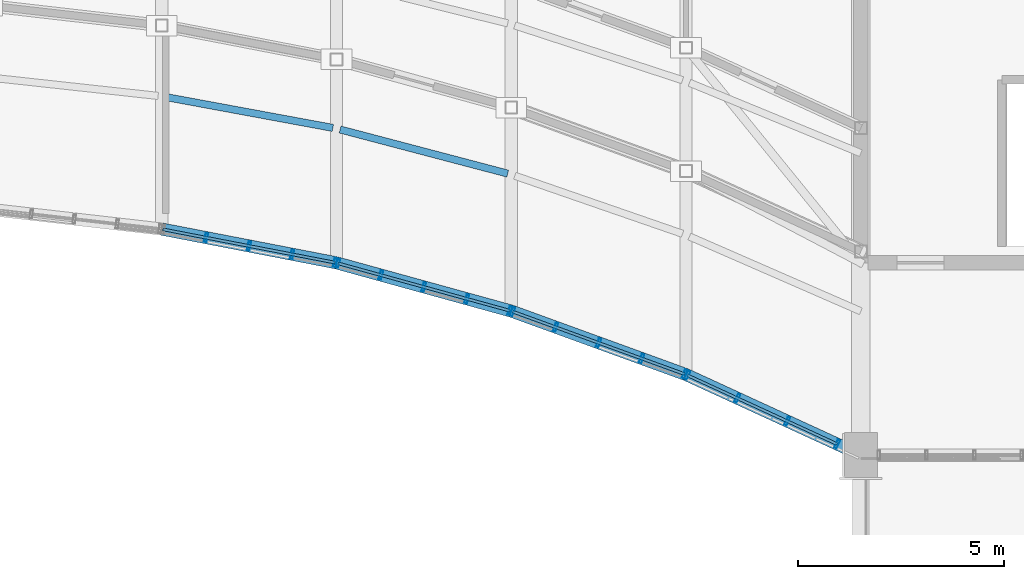
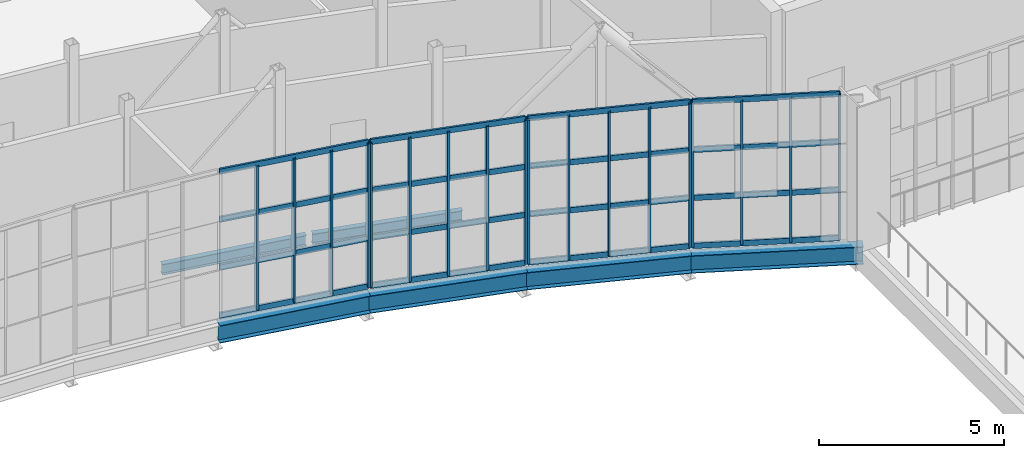
# One storey, part 39 of 86: 34 members, 6 beams, 4 elements without a shape of their own.
"""IFC4 building model written with IfcOpenShell, lengths in metres."""

from ifc_helpers import new_model, si_unit, direction, frame, origin, origin_2d, place, context, subcontext, project, spatial, hollow_rectangle, i_section, extrude, material, material_profile, profile_set, type_object, element, aggregate, save


model = new_model("IFC4")

# Units and contexts
model_context = context("Model", 3, precision=1e-05, world=origin(), true_north=direction((0.0, 1.0)))
body_context = subcontext(model_context, "Body", "Model", "MODEL_VIEW")
ifc_project = project(units=[si_unit("LENGTHUNIT", "METRE"), si_unit("AREAUNIT", "SQUARE_METRE"), si_unit("VOLUMEUNIT", "CUBIC_METRE"), si_unit("PLANEANGLEUNIT", "RADIAN"), si_unit("MASSUNIT", "GRAM", prefix="KILO")], contexts=[model_context])

# Site, building, storey
site_placement = place(None, origin())
site = spatial("IfcSite", under=ifc_project, at=site_placement, CompositionType="ELEMENT")
building_placement = place(site_placement, origin())
building = spatial("IfcBuilding", under=site, at=building_placement, Name="Solvikara Media Centre", CompositionType="ELEMENT")
storey_placement = place(building_placement, frame((0.0, 0.0, 15.0)))
storey = spatial("IfcBuildingStorey", under=building, at=storey_placement, Name="L03", CompositionType="ELEMENT", Elevation=15.0)

# Beams
ifc_material_1 = material(Name="Steel S355JR", Category="steel")
ifc_material_profile_1 = material_profile(ifc_material_1, i_section(OverallWidth=0.175048828125, OverallDepth=0.35009765625, WebThickness=0.007080078125, FlangeThickness=0.010986328125, at=origin_2d()), Name="WF 350x175x7x11")
ifc_profile_set_1 = profile_set([ifc_material_profile_1], Name="Steel S355JR")
beam_type_1 = type_object("IfcBeamType", Name="BM-22", PredefinedType="JOIST", material=ifc_profile_set_1)
beam_1_placement = place(storey_placement, frame((110.589111328125, 28.031005859375, -0.39697265625), z_axis=(0.983371814175, -0.181603620797, 0.0), x_axis=(0.181603620797, 0.983371814175, 0.0)))
element("IfcBeam", 1, at=beam_1_placement, inside=storey, type_object=beam_type_1, Name="BJ-L03-08-20", PredefinedType="JOIST", context=body_context, shape_type="SweptSolid", body=[
    extrude(i_section(OverallWidth=0.175048828125, OverallDepth=0.35009765625, WebThickness=0.007080078125, FlangeThickness=0.010986328125, at=origin_2d()), origin(), (0.0, 0.0, 1.0), 4.140625),
])
beam_2_placement = place(storey_placement, frame((114.8369140625, 27.239990234375, -0.39697265625), z_axis=(0.967112792727, -0.254347884096, 0.0), x_axis=(0.254347884096, 0.967112792727, 0.0)))
element("IfcBeam", 2, at=beam_2_placement, inside=storey, type_object=beam_type_1, Name="BJ-L03-09-20", PredefinedType="JOIST", context=body_context, shape_type="SweptSolid", body=[
    extrude(i_section(OverallWidth=0.175048828125, OverallDepth=0.35009765625, WebThickness=0.007080078125, FlangeThickness=0.010986328125, at=origin_2d()), origin(), (0.0, 0.0, 1.0), 4.21484375),
])
ifc_material_profile_2 = material_profile(ifc_material_1, i_section(OverallWidth=0.300048828125, OverallDepth=0.58203125, WebThickness=0.011962890625, FlangeThickness=0.01708984375, at=origin_2d()), Name="WF 582x300x12x17")
ifc_profile_set_2 = profile_set([ifc_material_profile_2], Name="Steel S355JR")
beam_type_2 = type_object("IfcBeamType", Name="BM-31", PredefinedType="SPANDREL", material=ifc_profile_set_2)
beam_3_placement = place(storey_placement, frame((110.5, 24.818115234375, -0.512939453125), z_axis=(0.981803941213, -0.189897396029, 0.0), x_axis=(0.189897396029, 0.981803941213, 0.0)))
element("IfcBeam", 3, at=beam_3_placement, inside=storey, type_object=beam_type_2, Name="B-L03-SARC-08", PredefinedType="SPANDREL", context=body_context, shape_type="SweptSolid", body=[
    extrude(i_section(OverallWidth=0.300048828125, OverallDepth=0.58203125, WebThickness=0.011962890625, FlangeThickness=0.01708984375, at=origin_2d()), origin(), (0.0, 0.0, 1.0), 4.328857421875),
])
beam_4_placement = place(storey_placement, frame((114.75, 23.99609375, -0.512939453125), z_axis=(0.964009749544, -0.265866889221, 0.0), x_axis=(0.265866889221, 0.964009749544, 0.0)))
element("IfcBeam", 4, at=beam_4_placement, inside=storey, type_object=beam_type_2, Name="B-L03-SARC-09", PredefinedType="SPANDREL", context=body_context, shape_type="SweptSolid", body=[
    extrude(i_section(OverallWidth=0.300048828125, OverallDepth=0.58203125, WebThickness=0.011962890625, FlangeThickness=0.01708984375, at=origin_2d()), origin(), (0.0, 0.0, 1.0), 4.40869140625),
])
beam_5_placement = place(storey_placement, frame((119.0, 22.823974609375, -0.512939453125), z_axis=(0.939831249065, -0.341639024821, 0.0), x_axis=(0.341639024821, 0.939831249065, 0.0)))
element("IfcBeam", 5, at=beam_5_placement, inside=storey, type_object=beam_type_2, Name="B-L03-SARC-10", PredefinedType="SPANDREL", context=body_context, shape_type="SweptSolid", body=[
    extrude(i_section(OverallWidth=0.300048828125, OverallDepth=0.58203125, WebThickness=0.011962890625, FlangeThickness=0.01708984375, at=origin_2d()), origin(), (0.0, 0.0, 1.0), 4.52197265625),
])
beam_6_placement = place(storey_placement, frame((123.25, 21.279052734375, -0.512939453125), z_axis=(0.908484112169, -0.417919391673, 0.0), x_axis=(0.417919391673, 0.908484112169, 0.0)))
element("IfcBeam", 6, at=beam_6_placement, inside=storey, type_object=beam_type_2, Name="B-L03-SARC-11", PredefinedType="SPANDREL", context=body_context, shape_type="SweptSolid", body=[
    extrude(i_section(OverallWidth=0.300048828125, OverallDepth=0.58203125, WebThickness=0.011962890625, FlangeThickness=0.01708984375, at=origin_2d()), origin(), (0.0, 0.0, 1.0), 4.67822265625),
])

# Curtain wall, members
ifc_material_2 = material(Name="Anodised aluminium EN AW-6063", Category="aluminium")
curtain_wall_type = type_object("IfcCurtainWallType", Name="CW-01", PredefinedType="NOTDEFINED", material=ifc_material_2)
curtain_wall_1_placement = place(storey_placement, origin())
curtain_wall_1 = element("IfcCurtainWall", 7, at=curtain_wall_1_placement, inside=storey, type_object=curtain_wall_type, Name="CW-L03-SARC-08", PredefinedType="NOTDEFINED")
ifc_material_profile_3 = material_profile(ifc_material_2, hollow_rectangle(XDim=0.06494140625, YDim=0.219970703125, WallThickness=0.00390625, at=origin_2d()), Name="ALU-M 65x220x4")
ifc_profile_set_3 = profile_set([ifc_material_profile_3], Name="Anodised aluminium EN AW-6063")
member_type_1 = type_object("IfcMemberType", Name="MF-01", PredefinedType="MULLION", material=ifc_profile_set_3)
member_1_placement = place(storey_placement, frame((111.580078125, 24.60888671875, 0.02001953125), z_axis=(0.0, 0.0, 1.0), x_axis=(0.981843017659, -0.189695252114, 0.0)))
member_1 = element("IfcMember", 8, at=member_1_placement, type_object=member_type_1, Name="CW-L03-SARC-08-M01", PredefinedType="MULLION", context=body_context, shape_type="SweptSolid", body=[
    extrude(hollow_rectangle(XDim=0.06494140625, YDim=0.219970703125, WallThickness=0.00390625, at=origin_2d()), origin(), (0.0, 0.0, 1.0), 4.760009765625),
])
member_2_placement = place(storey_placement, frame((112.625, 24.406982421875, 0.02001953125), z_axis=(0.0, 0.0, 1.0), x_axis=(0.981843017659, -0.189695252114, 0.0)))
member_2 = element("IfcMember", 9, at=member_2_placement, type_object=member_type_1, Name="CW-L03-SARC-08-M02", PredefinedType="MULLION", context=body_context, shape_type="SweptSolid", body=[
    extrude(hollow_rectangle(XDim=0.06494140625, YDim=0.219970703125, WallThickness=0.00390625, at=origin_2d()), origin(), (0.0, 0.0, 1.0), 4.760009765625),
])
member_3_placement = place(storey_placement, frame((113.6708984375, 24.205078125, 0.02001953125), z_axis=(0.0, 0.0, 1.0), x_axis=(0.981843017659, -0.189695252114, 0.0)))
member_3 = element("IfcMember", 10, at=member_3_placement, type_object=member_type_1, Name="CW-L03-SARC-08-M03", PredefinedType="MULLION", context=body_context, shape_type="SweptSolid", body=[
    extrude(hollow_rectangle(XDim=0.06494140625, YDim=0.219970703125, WallThickness=0.00390625, at=origin_2d()), origin(), (0.0, 0.0, 1.0), 4.760009765625),
])
member_4_placement = place(storey_placement, frame((114.716064453125, 24.0029296875, 0.02001953125), z_axis=(0.0, 0.0, 1.0), x_axis=(0.981843017659, -0.189695252114, 0.0)))
member_4 = element("IfcMember", 11, at=member_4_placement, type_object=member_type_1, Name="CW-L03-SARC-08-M04", PredefinedType="MULLION", context=body_context, shape_type="SweptSolid", body=[
    extrude(hollow_rectangle(XDim=0.06494140625, YDim=0.219970703125, WallThickness=0.00390625, at=origin_2d()), origin(), (0.0, 0.0, 1.0), 4.760009765625),
])

curtain_wall_2_placement = place(storey_placement, origin())
curtain_wall_2 = element("IfcCurtainWall", 12, at=curtain_wall_2_placement, inside=storey, type_object=curtain_wall_type, Name="CW-L03-SARC-09", PredefinedType="NOTDEFINED")
member_5_placement = place(storey_placement, frame((114.783935546875, 23.987060546875, 0.02001953125), z_axis=(0.0, 0.0, 1.0), x_axis=(0.96397015682, -0.26601040724, 0.0)))
member_5 = element("IfcMember", 13, at=member_5_placement, type_object=member_type_1, Name="CW-L03-SARC-09-M00", PredefinedType="MULLION", context=body_context, shape_type="SweptSolid", body=[
    extrude(hollow_rectangle(XDim=0.06494140625, YDim=0.219970703125, WallThickness=0.00390625, at=origin_2d()), origin(), (0.0, 0.0, 1.0), 4.760009765625),
])
member_6_placement = place(storey_placement, frame((115.830078125, 23.697998046875, 0.02001953125), z_axis=(0.0, 0.0, 1.0), x_axis=(0.96397015682, -0.26601040724, 0.0)))
member_6 = element("IfcMember", 14, at=member_6_placement, type_object=member_type_1, Name="CW-L03-SARC-09-M01", PredefinedType="MULLION", context=body_context, shape_type="SweptSolid", body=[
    extrude(hollow_rectangle(XDim=0.06494140625, YDim=0.219970703125, WallThickness=0.00390625, at=origin_2d()), origin(), (0.0, 0.0, 1.0), 4.760009765625),
])
member_7_placement = place(storey_placement, frame((116.875, 23.409912109375, 0.02001953125), z_axis=(0.0, 0.0, 1.0), x_axis=(0.96397015682, -0.26601040724, 0.0)))
member_7 = element("IfcMember", 15, at=member_7_placement, type_object=member_type_1, Name="CW-L03-SARC-09-M02", PredefinedType="MULLION", context=body_context, shape_type="SweptSolid", body=[
    extrude(hollow_rectangle(XDim=0.06494140625, YDim=0.219970703125, WallThickness=0.00390625, at=origin_2d()), origin(), (0.0, 0.0, 1.0), 4.760009765625),
])
member_8_placement = place(storey_placement, frame((117.9208984375, 23.12109375, 0.02001953125), z_axis=(0.0, 0.0, 1.0), x_axis=(0.96397015682, -0.26601040724, 0.0)))
member_8 = element("IfcMember", 16, at=member_8_placement, type_object=member_type_1, Name="CW-L03-SARC-09-M03", PredefinedType="MULLION", context=body_context, shape_type="SweptSolid", body=[
    extrude(hollow_rectangle(XDim=0.06494140625, YDim=0.219970703125, WallThickness=0.00390625, at=origin_2d()), origin(), (0.0, 0.0, 1.0), 4.760009765625),
])
member_9_placement = place(storey_placement, frame((118.966064453125, 22.8330078125, 0.02001953125), z_axis=(0.0, 0.0, 1.0), x_axis=(0.96397015682, -0.26601040724, 0.0)))
member_9 = element("IfcMember", 17, at=member_9_placement, type_object=member_type_1, Name="CW-L03-SARC-09-M04", PredefinedType="MULLION", context=body_context, shape_type="SweptSolid", body=[
    extrude(hollow_rectangle(XDim=0.06494140625, YDim=0.219970703125, WallThickness=0.00390625, at=origin_2d()), origin(), (0.0, 0.0, 1.0), 4.760009765625),
])

curtain_wall_3_placement = place(storey_placement, origin())
curtain_wall_3 = element("IfcCurtainWall", 18, at=curtain_wall_3_placement, inside=storey, type_object=curtain_wall_type, Name="CW-L03-SARC-10", PredefinedType="NOTDEFINED")
member_10_placement = place(storey_placement, frame((119.032958984375, 22.81201171875, 0.02001953125), z_axis=(0.0, 0.0, 1.0), x_axis=(0.939823877818, -0.341659302058, 0.0)))
member_10 = element("IfcMember", 19, at=member_10_placement, type_object=member_type_1, Name="CW-L03-SARC-10-M00", PredefinedType="MULLION", context=body_context, shape_type="SweptSolid", body=[
    extrude(hollow_rectangle(XDim=0.06494140625, YDim=0.219970703125, WallThickness=0.00390625, at=origin_2d()), origin(), (0.0, 0.0, 1.0), 4.760009765625),
])
member_11_placement = place(storey_placement, frame((120.0791015625, 22.431884765625, 0.02001953125), z_axis=(0.0, 0.0, 1.0), x_axis=(0.939823877818, -0.341659302058, 0.0)))
member_11 = element("IfcMember", 20, at=member_11_placement, type_object=member_type_1, Name="CW-L03-SARC-10-M01", PredefinedType="MULLION", context=body_context, shape_type="SweptSolid", body=[
    extrude(hollow_rectangle(XDim=0.06494140625, YDim=0.219970703125, WallThickness=0.00390625, at=origin_2d()), origin(), (0.0, 0.0, 1.0), 4.760009765625),
])
member_12_placement = place(storey_placement, frame((121.125, 22.051025390625, 0.02001953125), z_axis=(0.0, 0.0, 1.0), x_axis=(0.939823877818, -0.341659302058, 0.0)))
member_12 = element("IfcMember", 21, at=member_12_placement, type_object=member_type_1, Name="CW-L03-SARC-10-M02", PredefinedType="MULLION", context=body_context, shape_type="SweptSolid", body=[
    extrude(hollow_rectangle(XDim=0.06494140625, YDim=0.219970703125, WallThickness=0.00390625, at=origin_2d()), origin(), (0.0, 0.0, 1.0), 4.760009765625),
])
member_13_placement = place(storey_placement, frame((122.1708984375, 21.6708984375, 0.02001953125), z_axis=(0.0, 0.0, 1.0), x_axis=(0.939823877818, -0.341659302058, 0.0)))
member_13 = element("IfcMember", 22, at=member_13_placement, type_object=member_type_1, Name="CW-L03-SARC-10-M03", PredefinedType="MULLION", context=body_context, shape_type="SweptSolid", body=[
    extrude(hollow_rectangle(XDim=0.06494140625, YDim=0.219970703125, WallThickness=0.00390625, at=origin_2d()), origin(), (0.0, 0.0, 1.0), 4.760009765625),
])
member_14_placement = place(storey_placement, frame((123.217041015625, 21.291015625, 0.02001953125), z_axis=(0.0, 0.0, 1.0), x_axis=(0.939823877818, -0.341659302058, 0.0)))
member_14 = element("IfcMember", 23, at=member_14_placement, type_object=member_type_1, Name="CW-L03-SARC-10-M04", PredefinedType="MULLION", context=body_context, shape_type="SweptSolid", body=[
    extrude(hollow_rectangle(XDim=0.06494140625, YDim=0.219970703125, WallThickness=0.00390625, at=origin_2d()), origin(), (0.0, 0.0, 1.0), 4.760009765625),
])

curtain_wall_4_placement = place(storey_placement, origin())
curtain_wall_4 = element("IfcCurtainWall", 24, at=curtain_wall_4_placement, inside=storey, type_object=curtain_wall_type, Name="CW-L03-SARC-11", PredefinedType="NOTDEFINED")
member_15_placement = place(storey_placement, frame((123.281982421875, 21.263916015625, 0.02001953125), z_axis=(0.0, 0.0, 1.0), x_axis=(0.908566513921, -0.417740218056, 0.0)))
member_15 = element("IfcMember", 25, at=member_15_placement, type_object=member_type_1, Name="CW-L03-SARC-11-M00", PredefinedType="MULLION", context=body_context, shape_type="SweptSolid", body=[
    extrude(hollow_rectangle(XDim=0.06494140625, YDim=0.219970703125, WallThickness=0.00390625, at=origin_2d()), origin(), (0.0, 0.0, 1.0), 4.760009765625),
])
member_16_placement = place(storey_placement, frame((124.4970703125, 20.705078125, 0.02001953125), z_axis=(0.0, 0.0, 1.0), x_axis=(0.908566513921, -0.417740218056, 0.0)))
member_16 = element("IfcMember", 26, at=member_16_placement, type_object=member_type_1, Name="CW-L03-SARC-11-M01", PredefinedType="MULLION", context=body_context, shape_type="SweptSolid", body=[
    extrude(hollow_rectangle(XDim=0.06494140625, YDim=0.219970703125, WallThickness=0.00390625, at=origin_2d()), origin(), (0.0, 0.0, 1.0), 4.760009765625),
])
member_17_placement = place(storey_placement, frame((125.7109375, 20.14697265625, 0.02001953125), z_axis=(0.0, 0.0, 1.0), x_axis=(0.908566513921, -0.417740218056, 0.0)))
member_17 = element("IfcMember", 27, at=member_17_placement, type_object=member_type_1, Name="CW-L03-SARC-11-M02", PredefinedType="MULLION", context=body_context, shape_type="SweptSolid", body=[
    extrude(hollow_rectangle(XDim=0.06494140625, YDim=0.219970703125, WallThickness=0.00390625, at=origin_2d()), origin(), (0.0, 0.0, 1.0), 4.760009765625),
])
member_18_placement = place(storey_placement, frame((126.925048828125, 19.589111328125, 0.02001953125), z_axis=(0.0, 0.0, 1.0), x_axis=(0.908566513921, -0.417740218056, 0.0)))
member_18 = element("IfcMember", 28, at=member_18_placement, type_object=member_type_1, Name="CW-L03-SARC-11-M03", PredefinedType="MULLION", context=body_context, shape_type="SweptSolid", body=[
    extrude(hollow_rectangle(XDim=0.06494140625, YDim=0.219970703125, WallThickness=0.00390625, at=origin_2d()), origin(), (0.0, 0.0, 1.0), 4.760009765625),
])

# Member
ifc_material_profile_4 = material_profile(ifc_material_2, hollow_rectangle(XDim=0.06494140625, YDim=0.179931640625, WallThickness=0.00341796875, at=origin_2d()), Name="ALU-T 65x180x3.5")
ifc_profile_set_4 = profile_set([ifc_material_profile_4], Name="Anodised aluminium EN AW-6063")
member_type_2 = type_object("IfcMemberType", Name="MF-07", PredefinedType="USERDEFINED", material=ifc_profile_set_4)
member_19_placement = place(storey_placement, frame((110.533935546875, 24.81103515625, 0.02001953125), z_axis=(0.981838442996, -0.189718928565, 0.0), x_axis=(0.189718928565, 0.981838442996, 0.0)))
member_19 = element("IfcMember", 29, at=member_19_placement, type_object=member_type_2, Name="CW-L03-SARC-08-T00", ObjectType="TRANSOM", PredefinedType="USERDEFINED", context=body_context, shape_type="SweptSolid", body=[
    extrude(hollow_rectangle(XDim=0.06494140625, YDim=0.179931640625, WallThickness=0.00341796875, at=origin_2d()), origin(), (0.0, 0.0, 1.0), 4.259521484375),
])

member_20_placement = place(storey_placement, frame((110.533935546875, 24.81103515625, 1.60693359375), z_axis=(0.981838442996, -0.189718928565, 0.0), x_axis=(0.189718928565, 0.981838442996, 0.0)))
member_20 = element("IfcMember", 30, at=member_20_placement, type_object=member_type_2, Name="CW-L03-SARC-08-T01", ObjectType="TRANSOM", PredefinedType="USERDEFINED", context=body_context, shape_type="SweptSolid", body=[
    extrude(hollow_rectangle(XDim=0.06494140625, YDim=0.179931640625, WallThickness=0.00341796875, at=origin_2d()), origin(), (0.0, 0.0, 1.0), 4.259521484375),
])

member_21_placement = place(storey_placement, frame((110.533935546875, 24.81103515625, 3.193115234375), z_axis=(0.981838442996, -0.189718928565, 0.0), x_axis=(0.189718928565, 0.981838442996, 0.0)))
member_21 = element("IfcMember", 31, at=member_21_placement, type_object=member_type_2, Name="CW-L03-SARC-08-T02", ObjectType="TRANSOM", PredefinedType="USERDEFINED", context=body_context, shape_type="SweptSolid", body=[
    extrude(hollow_rectangle(XDim=0.06494140625, YDim=0.179931640625, WallThickness=0.00341796875, at=origin_2d()), origin(), (0.0, 0.0, 1.0), 4.259521484375),
])

member_22_placement = place(storey_placement, frame((110.533935546875, 24.81103515625, 4.780029296875), z_axis=(0.981838442996, -0.189718928565, 0.0), x_axis=(0.189718928565, 0.981838442996, 0.0)))
member_22 = element("IfcMember", 32, at=member_22_placement, type_object=member_type_2, Name="CW-L03-SARC-08-T03", ObjectType="TRANSOM", PredefinedType="USERDEFINED", context=body_context, shape_type="SweptSolid", body=[
    extrude(hollow_rectangle(XDim=0.06494140625, YDim=0.179931640625, WallThickness=0.00341796875, at=origin_2d()), origin(), (0.0, 0.0, 1.0), 4.259521484375),
])

aggregate(curtain_wall_1, [member_1, member_2, member_3, member_4, member_19, member_20, member_21, member_22])

member_23_placement = place(storey_placement, frame((114.783935546875, 23.987060546875, 0.02001953125), z_axis=(0.963971224803, -0.266006537049, 0.0), x_axis=(0.266006537049, 0.963971224803, 0.0)))
member_23 = element("IfcMember", 33, at=member_23_placement, type_object=member_type_2, Name="CW-L03-SARC-09-T00", ObjectType="TRANSOM", PredefinedType="USERDEFINED", context=body_context, shape_type="SweptSolid", body=[
    extrude(hollow_rectangle(XDim=0.06494140625, YDim=0.179931640625, WallThickness=0.00341796875, at=origin_2d()), origin(), (0.0, 0.0, 1.0), 4.33837890625),
])

member_24_placement = place(storey_placement, frame((114.783935546875, 23.987060546875, 1.60693359375), z_axis=(0.963971224803, -0.266006537049, 0.0), x_axis=(0.266006537049, 0.963971224803, 0.0)))
member_24 = element("IfcMember", 34, at=member_24_placement, type_object=member_type_2, Name="CW-L03-SARC-09-T01", ObjectType="TRANSOM", PredefinedType="USERDEFINED", context=body_context, shape_type="SweptSolid", body=[
    extrude(hollow_rectangle(XDim=0.06494140625, YDim=0.179931640625, WallThickness=0.00341796875, at=origin_2d()), origin(), (0.0, 0.0, 1.0), 4.33837890625),
])

member_25_placement = place(storey_placement, frame((114.783935546875, 23.987060546875, 3.193115234375), z_axis=(0.963971224803, -0.266006537049, 0.0), x_axis=(0.266006537049, 0.963971224803, 0.0)))
member_25 = element("IfcMember", 35, at=member_25_placement, type_object=member_type_2, Name="CW-L03-SARC-09-T02", ObjectType="TRANSOM", PredefinedType="USERDEFINED", context=body_context, shape_type="SweptSolid", body=[
    extrude(hollow_rectangle(XDim=0.06494140625, YDim=0.179931640625, WallThickness=0.00341796875, at=origin_2d()), origin(), (0.0, 0.0, 1.0), 4.33837890625),
])

member_26_placement = place(storey_placement, frame((114.783935546875, 23.987060546875, 4.780029296875), z_axis=(0.963971224803, -0.266006537049, 0.0), x_axis=(0.266006537049, 0.963971224803, 0.0)))
member_26 = element("IfcMember", 36, at=member_26_placement, type_object=member_type_2, Name="CW-L03-SARC-09-T03", ObjectType="TRANSOM", PredefinedType="USERDEFINED", context=body_context, shape_type="SweptSolid", body=[
    extrude(hollow_rectangle(XDim=0.06494140625, YDim=0.179931640625, WallThickness=0.00341796875, at=origin_2d()), origin(), (0.0, 0.0, 1.0), 4.33837890625),
])

aggregate(curtain_wall_2, [member_5, member_6, member_7, member_8, member_9, member_23, member_24, member_25, member_26])

member_27_placement = place(storey_placement, frame((119.032958984375, 22.81201171875, 0.02001953125), z_axis=(0.939828643467, -0.341646192601, 0.0), x_axis=(0.341646192601, 0.939828643467, 0.0)))
member_27 = element("IfcMember", 37, at=member_27_placement, type_object=member_type_2, Name="CW-L03-SARC-10-T00", ObjectType="TRANSOM", PredefinedType="USERDEFINED", context=body_context, shape_type="SweptSolid", body=[
    extrude(hollow_rectangle(XDim=0.06494140625, YDim=0.179931640625, WallThickness=0.00341796875, at=origin_2d()), origin(), (0.0, 0.0, 1.0), 4.451904296875),
])

member_28_placement = place(storey_placement, frame((119.032958984375, 22.81201171875, 1.60693359375), z_axis=(0.939828643467, -0.341646192601, 0.0), x_axis=(0.341646192601, 0.939828643467, 0.0)))
member_28 = element("IfcMember", 38, at=member_28_placement, type_object=member_type_2, Name="CW-L03-SARC-10-T01", ObjectType="TRANSOM", PredefinedType="USERDEFINED", context=body_context, shape_type="SweptSolid", body=[
    extrude(hollow_rectangle(XDim=0.06494140625, YDim=0.179931640625, WallThickness=0.00341796875, at=origin_2d()), origin(), (0.0, 0.0, 1.0), 4.451904296875),
])

member_29_placement = place(storey_placement, frame((119.032958984375, 22.81201171875, 3.193115234375), z_axis=(0.939828643467, -0.341646192601, 0.0), x_axis=(0.341646192601, 0.939828643467, 0.0)))
member_29 = element("IfcMember", 39, at=member_29_placement, type_object=member_type_2, Name="CW-L03-SARC-10-T02", ObjectType="TRANSOM", PredefinedType="USERDEFINED", context=body_context, shape_type="SweptSolid", body=[
    extrude(hollow_rectangle(XDim=0.06494140625, YDim=0.179931640625, WallThickness=0.00341796875, at=origin_2d()), origin(), (0.0, 0.0, 1.0), 4.451904296875),
])

member_30_placement = place(storey_placement, frame((119.032958984375, 22.81201171875, 4.780029296875), z_axis=(0.939828643467, -0.341646192601, 0.0), x_axis=(0.341646192601, 0.939828643467, 0.0)))
member_30 = element("IfcMember", 40, at=member_30_placement, type_object=member_type_2, Name="CW-L03-SARC-10-T03", ObjectType="TRANSOM", PredefinedType="USERDEFINED", context=body_context, shape_type="SweptSolid", body=[
    extrude(hollow_rectangle(XDim=0.06494140625, YDim=0.179931640625, WallThickness=0.00341796875, at=origin_2d()), origin(), (0.0, 0.0, 1.0), 4.451904296875),
])

aggregate(curtain_wall_3, [member_10, member_11, member_12, member_13, member_14, member_27, member_28, member_29, member_30])

member_31_placement = place(storey_placement, frame((123.281982421875, 21.263916015625, 0.02001953125), z_axis=(0.908585672428, -0.417698546633, 0.0), x_axis=(0.417698546633, 0.908585672428, 0.0)))
member_31 = element("IfcMember", 41, at=member_31_placement, type_object=member_type_2, Name="CW-L03-SARC-11-T00", ObjectType="TRANSOM", PredefinedType="USERDEFINED", context=body_context, shape_type="SweptSolid", body=[
    extrude(hollow_rectangle(XDim=0.06494140625, YDim=0.179931640625, WallThickness=0.00341796875, at=origin_2d()), origin(), (0.0, 0.0, 1.0), 4.009521484375),
])

member_32_placement = place(storey_placement, frame((123.281982421875, 21.263916015625, 1.60693359375), z_axis=(0.908585672428, -0.417698546633, 0.0), x_axis=(0.417698546633, 0.908585672428, 0.0)))
member_32 = element("IfcMember", 42, at=member_32_placement, type_object=member_type_2, Name="CW-L03-SARC-11-T01", ObjectType="TRANSOM", PredefinedType="USERDEFINED", context=body_context, shape_type="SweptSolid", body=[
    extrude(hollow_rectangle(XDim=0.06494140625, YDim=0.179931640625, WallThickness=0.00341796875, at=origin_2d()), origin(), (0.0, 0.0, 1.0), 4.009521484375),
])

member_33_placement = place(storey_placement, frame((123.281982421875, 21.263916015625, 3.193115234375), z_axis=(0.908585672428, -0.417698546633, 0.0), x_axis=(0.417698546633, 0.908585672428, 0.0)))
member_33 = element("IfcMember", 43, at=member_33_placement, type_object=member_type_2, Name="CW-L03-SARC-11-T02", ObjectType="TRANSOM", PredefinedType="USERDEFINED", context=body_context, shape_type="SweptSolid", body=[
    extrude(hollow_rectangle(XDim=0.06494140625, YDim=0.179931640625, WallThickness=0.00341796875, at=origin_2d()), origin(), (0.0, 0.0, 1.0), 4.009521484375),
])

member_34_placement = place(storey_placement, frame((123.281982421875, 21.263916015625, 4.780029296875), z_axis=(0.908585672428, -0.417698546633, 0.0), x_axis=(0.417698546633, 0.908585672428, 0.0)))
member_34 = element("IfcMember", 44, at=member_34_placement, type_object=member_type_2, Name="CW-L03-SARC-11-T03", ObjectType="TRANSOM", PredefinedType="USERDEFINED", context=body_context, shape_type="SweptSolid", body=[
    extrude(hollow_rectangle(XDim=0.06494140625, YDim=0.179931640625, WallThickness=0.00341796875, at=origin_2d()), origin(), (0.0, 0.0, 1.0), 4.009521484375),
])

aggregate(curtain_wall_4, [member_15, member_16, member_17, member_18, member_31, member_32, member_33, member_34])

save(model, "model.ifc")
